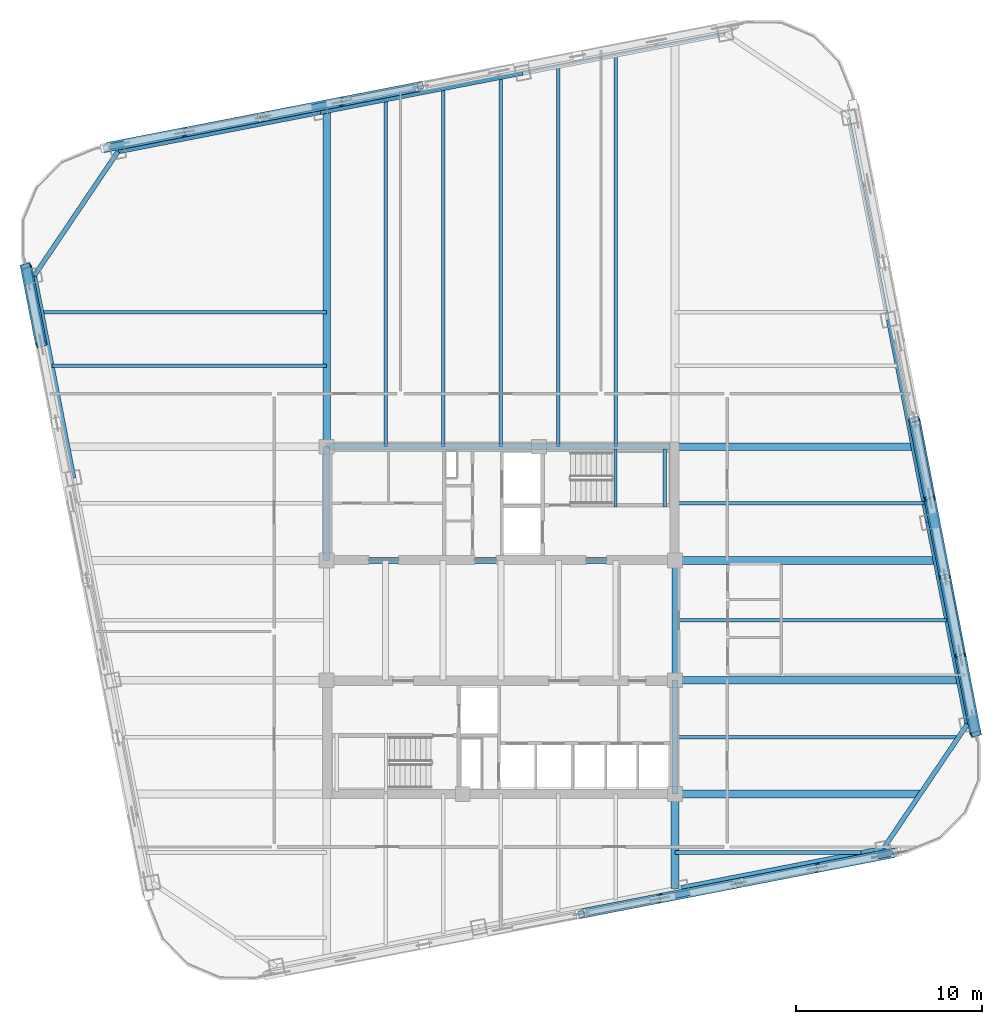
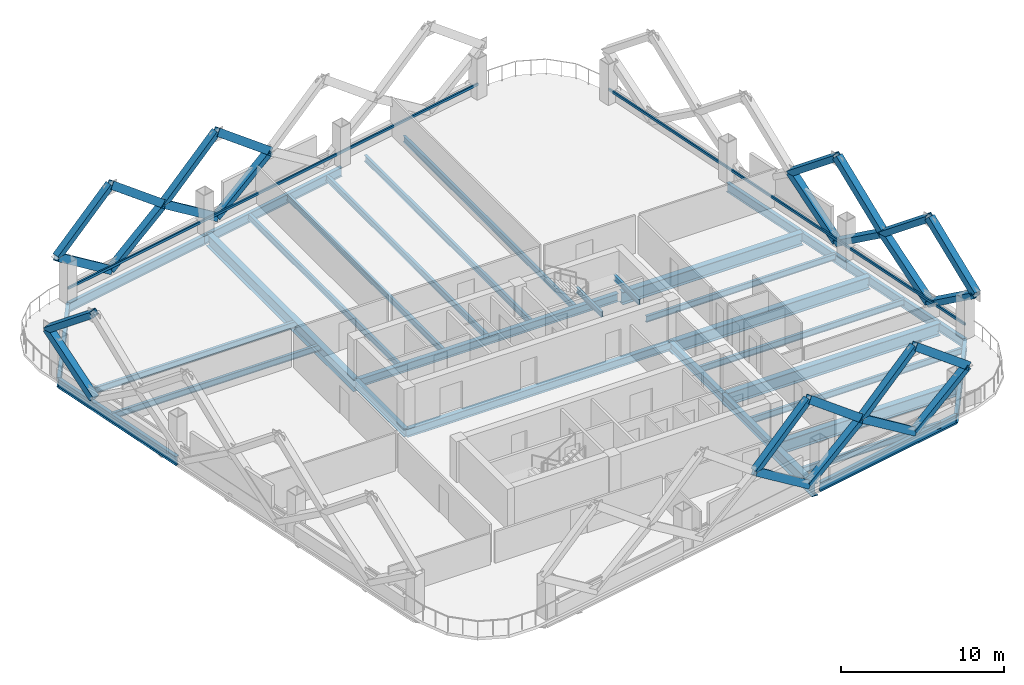
# One storey, part 2 of 9: 32 beams, 28 members.
"""IFC4 building model written with IfcOpenShell, lengths in metres."""

from ifc_helpers import new_model, si_unit, direction, frame, origin, origin_2d, place, context, subcontext, project, spatial, hollow_rectangle, i_section, extrude, material, material_profile, profile_set, type_object, element, save


model = new_model("IFC4")

# Units and contexts
model_context = context("Model", 3, precision=1e-05, world=origin(), true_north=direction((0.0, 1.0)))
body_context = subcontext(model_context, "Body", "Model", "MODEL_VIEW")
ifc_project = project(units=[si_unit("LENGTHUNIT", "METRE"), si_unit("AREAUNIT", "SQUARE_METRE"), si_unit("VOLUMEUNIT", "CUBIC_METRE"), si_unit("PLANEANGLEUNIT", "RADIAN"), si_unit("MASSUNIT", "GRAM", prefix="KILO")], contexts=[model_context])

# Site, building, storey
site_placement = place(None, origin())
site = spatial("IfcSite", under=ifc_project, at=site_placement, CompositionType="ELEMENT")
building_placement = place(site_placement, origin())
building = spatial("IfcBuilding", under=site, at=building_placement, Name="Qhalaya Broadcast Tower", CompositionType="ELEMENT")
storey_placement = place(building_placement, frame((0.0, 0.0, 137.199951171875)))
storey = spatial("IfcBuildingStorey", under=building, at=storey_placement, Name="L40", CompositionType="ELEMENT", Elevation=137.199951171875)

# Beams
ifc_material_1 = material(Name="Structural Steel ASTM A992 Grade 50", Category="steel")
ifc_material_profile_1 = material_profile(ifc_material_1, i_section(OverallWidth=0.19189453125, OverallDepth=0.462890625, WebThickness=0.010498046875, FlangeThickness=0.017578125, at=origin_2d()), Name="W18X60")
ifc_profile_set_1 = profile_set([ifc_material_profile_1], Name="Structural Steel ASTM A992 Grade 50")
beam_type_1 = type_object("IfcBeamType", Name="Composite Floor Joist J03", PredefinedType="JOIST", material=ifc_profile_set_1)
beam_1_placement = place(storey_placement, frame((-6.199951171875, 9.949951171875, -0.451416015625), z_axis=(0.0, 1.0, 0.0), x_axis=(-1.0, 0.0, 0.0)))
element("IfcBeam", 1, at=beam_1_placement, inside=storey, type_object=beam_type_1, Name="L40 J03 L40-JNN1-1", PredefinedType="JOIST", context=body_context, shape_type="SweptSolid", body=[
    extrude(i_section(OverallWidth=0.19189453125, OverallDepth=0.462890625, WebThickness=0.010498046875, FlangeThickness=0.017578125, at=origin_2d()), origin(), (0.0, 0.0, 1.0), 18.6728515625),
])
beam_2_placement = place(storey_placement, frame((-3.10009765625, 9.949951171875, -0.451416015625), z_axis=(0.0, 1.0, 0.0), x_axis=(-1.0, 0.0, 0.0)))
element("IfcBeam", 2, at=beam_2_placement, inside=storey, type_object=beam_type_1, Name="L40 J03 L40-JNN2-1", PredefinedType="JOIST", context=body_context, shape_type="SweptSolid", body=[
    extrude(i_section(OverallWidth=0.19189453125, OverallDepth=0.462890625, WebThickness=0.010498046875, FlangeThickness=0.017578125, at=origin_2d()), origin(), (0.0, 0.0, 1.0), 19.275390625),
])
beam_3_placement = place(storey_placement, frame((0.0, 9.949951171875, -0.451416015625), z_axis=(0.0, 1.0, 0.0), x_axis=(-1.0, 0.0, 0.0)))
element("IfcBeam", 3, at=beam_3_placement, inside=storey, type_object=beam_type_1, Name="L40 J03 L40-JNN3-1", PredefinedType="JOIST", context=body_context, shape_type="SweptSolid", body=[
    extrude(i_section(OverallWidth=0.19189453125, OverallDepth=0.462890625, WebThickness=0.010498046875, FlangeThickness=0.017578125, at=origin_2d()), origin(), (0.0, 0.0, 1.0), 19.8779296875),
])
beam_4_placement = place(storey_placement, frame((3.10009765625, 9.949951171875, -0.451416015625), z_axis=(0.0, 1.0, 0.0), x_axis=(-1.0, 0.0, 0.0)))
element("IfcBeam", 4, at=beam_4_placement, inside=storey, type_object=beam_type_1, Name="L40 J03 L40-JNN4-1", PredefinedType="JOIST", context=body_context, shape_type="SweptSolid", body=[
    extrude(i_section(OverallWidth=0.19189453125, OverallDepth=0.462890625, WebThickness=0.010498046875, FlangeThickness=0.017578125, at=origin_2d()), origin(), (0.0, 0.0, 1.0), 20.480712890625),
])
beam_5_placement = place(storey_placement, frame((6.199951171875, 9.949951171875, -0.451416015625), z_axis=(0.0, 1.0, 0.0), x_axis=(-1.0, 0.0, 0.0)))
element("IfcBeam", 5, at=beam_5_placement, inside=storey, type_object=beam_type_1, Name="L40 J03 L40-JNN5-1", PredefinedType="JOIST", context=body_context, shape_type="SweptSolid", body=[
    extrude(i_section(OverallWidth=0.19189453125, OverallDepth=0.462890625, WebThickness=0.010498046875, FlangeThickness=0.017578125, at=origin_2d()), origin(), (0.0, 0.0, 1.0), 21.083251953125),
])
beam_6_placement = place(storey_placement, frame((9.375, -11.89990234375, -0.451416015625), z_axis=(1.0, 0.0, 0.0), x_axis=(0.0, 1.0, 0.0)))
element("IfcBeam", 6, at=beam_6_placement, inside=storey, type_object=beam_type_1, Name="L40 J03 L40-JWE2E-1", PredefinedType="JOIST", context=body_context, shape_type="SweptSolid", body=[
    extrude(i_section(OverallWidth=0.19189453125, OverallDepth=0.462890625, WebThickness=0.010498046875, FlangeThickness=0.017578125, at=origin_2d()), origin(), (0.0, 0.0, 1.0), 10.009521484375),
])
beam_7_placement = place(storey_placement, frame((9.375, -5.699951171875, -0.451416015625), z_axis=(1.0, 0.0, 0.0), x_axis=(0.0, 1.0, 0.0)))
element("IfcBeam", 7, at=beam_7_placement, inside=storey, type_object=beam_type_1, Name="L40 J03 L40-JWE3E-1", PredefinedType="JOIST", context=body_context, shape_type="SweptSolid", body=[
    extrude(i_section(OverallWidth=0.19189453125, OverallDepth=0.462890625, WebThickness=0.010498046875, FlangeThickness=0.017578125, at=origin_2d()), origin(), (0.0, 0.0, 1.0), 15.24462890625),
])
beam_8_placement = place(storey_placement, frame((9.375, 0.60009765625, -0.451416015625), z_axis=(1.0, 0.0, 0.0), x_axis=(0.0, 1.0, 0.0)))
element("IfcBeam", 8, at=beam_8_placement, inside=storey, type_object=beam_type_1, Name="L40 J03 L40-JWE4E-1", PredefinedType="JOIST", context=body_context, shape_type="SweptSolid", body=[
    extrude(i_section(OverallWidth=0.19189453125, OverallDepth=0.462890625, WebThickness=0.010498046875, FlangeThickness=0.017578125, at=origin_2d()), origin(), (0.0, 0.0, 1.0), 14.632568359375),
])
beam_9_placement = place(storey_placement, frame((9.375, 6.89990234375, -0.451416015625), z_axis=(1.0, 0.0, 0.0), x_axis=(0.0, 1.0, 0.0)))
element("IfcBeam", 9, at=beam_9_placement, inside=storey, type_object=beam_type_1, Name="L40 J03 L40-JWE5E-1", PredefinedType="JOIST", context=body_context, shape_type="SweptSolid", body=[
    extrude(i_section(OverallWidth=0.19189453125, OverallDepth=0.462890625, WebThickness=0.010498046875, FlangeThickness=0.017578125, at=origin_2d()), origin(), (0.0, 0.0, 1.0), 13.407958984375),
])
beam_10_placement = place(storey_placement, frame((-24.1513671875, 14.300048828125, -0.451416015625), z_axis=(1.0, 0.0, 0.0), x_axis=(0.0, 1.0, 0.0)))
element("IfcBeam", 10, at=beam_10_placement, inside=storey, type_object=beam_type_1, Name="L40 J03 L40-JWE6W-1", PredefinedType="JOIST", context=body_context, shape_type="SweptSolid", body=[
    extrude(i_section(OverallWidth=0.19189453125, OverallDepth=0.462890625, WebThickness=0.010498046875, FlangeThickness=0.017578125, at=origin_2d()), origin(), (0.0, 0.0, 1.0), 14.7763671875),
])
beam_11_placement = place(storey_placement, frame((-24.715087890625, 17.199951171875, -0.451416015625), z_axis=(1.0, 0.0, 0.0), x_axis=(0.0, 1.0, 0.0)))
element("IfcBeam", 11, at=beam_11_placement, inside=storey, type_object=beam_type_1, Name="L40 J03 L40-JWE7W-1", PredefinedType="JOIST", context=body_context, shape_type="SweptSolid", body=[
    extrude(i_section(OverallWidth=0.19189453125, OverallDepth=0.462890625, WebThickness=0.010498046875, FlangeThickness=0.017578125, at=origin_2d()), origin(), (0.0, 0.0, 1.0), 15.340087890625),
])
ifc_material_profile_2 = material_profile(ifc_material_1, i_section(OverallWidth=0.323974609375, OverallDepth=0.612060546875, WebThickness=0.0126953125, FlangeThickness=0.01904296875, at=origin_2d()), Name="W24X104")
ifc_profile_set_2 = profile_set([ifc_material_profile_2], Name="Structural Steel ASTM A992 Grade 50")
beam_type_2 = type_object("IfcBeamType", Name="Core Frame Tie Beam B04", PredefinedType="BEAM", material=ifc_profile_set_2)
beam_12_placement = place(storey_placement, frame((-9.375, 3.824951171875, -0.52587890625), z_axis=(1.0, 0.0, 0.0), x_axis=(0.0, 1.0, 0.0)))
element("IfcBeam", 12, at=beam_12_placement, inside=storey, type_object=beam_type_2, Name="L40 B04 L40-CCN1", PredefinedType="BEAM", context=body_context, shape_type="SweptSolid", body=[
    extrude(i_section(OverallWidth=0.323974609375, OverallDepth=0.612060546875, WebThickness=0.0126953125, FlangeThickness=0.01904296875, at=origin_2d()), origin(), (0.0, 0.0, 1.0), 18.75),
])
beam_13_placement = place(storey_placement, frame((-9.375, 3.824951171875, -0.52587890625), z_axis=(0.0, 1.0, 0.0), x_axis=(-1.0, 0.0, 0.0)))
element("IfcBeam", 13, at=beam_13_placement, inside=storey, type_object=beam_type_2, Name="L40 B04 L40-CCN2", PredefinedType="BEAM", context=body_context, shape_type="SweptSolid", body=[
    extrude(i_section(OverallWidth=0.323974609375, OverallDepth=0.612060546875, WebThickness=0.0126953125, FlangeThickness=0.01904296875, at=origin_2d()), origin(), (0.0, 0.0, 1.0), 6.125),
])
beam_14_placement = place(storey_placement, frame((-9.375, 9.949951171875, -0.52587890625), z_axis=(1.0, 0.0, 0.0), x_axis=(0.0, 1.0, 0.0)))
element("IfcBeam", 14, at=beam_14_placement, inside=storey, type_object=beam_type_2, Name="L40 B04 L40-CCN3", PredefinedType="BEAM", context=body_context, shape_type="SweptSolid", body=[
    extrude(i_section(OverallWidth=0.323974609375, OverallDepth=0.612060546875, WebThickness=0.0126953125, FlangeThickness=0.01904296875, at=origin_2d()), origin(), (0.0, 0.0, 1.0), 18.4951171875),
])
beam_15_placement = place(storey_placement, frame((9.375, -8.75, -0.52587890625), z_axis=(0.0, 1.0, 0.0), x_axis=(-1.0, 0.0, 0.0)))
element("IfcBeam", 15, at=beam_15_placement, inside=storey, type_object=beam_type_2, Name="L40 B04 L40-CCS2", PredefinedType="BEAM", context=body_context, shape_type="SweptSolid", body=[
    extrude(i_section(OverallWidth=0.323974609375, OverallDepth=0.612060546875, WebThickness=0.0126953125, FlangeThickness=0.01904296875, at=origin_2d()), origin(), (0.0, 0.0, 1.0), 6.125),
])
beam_16_placement = place(storey_placement, frame((9.375, -2.625, -0.52587890625), z_axis=(0.0, 1.0, 0.0), x_axis=(-1.0, 0.0, 0.0)))
element("IfcBeam", 16, at=beam_16_placement, inside=storey, type_object=beam_type_2, Name="L40 B04 L40-CCE", PredefinedType="BEAM", context=body_context, shape_type="SweptSolid", body=[
    extrude(i_section(OverallWidth=0.323974609375, OverallDepth=0.612060546875, WebThickness=0.0126953125, FlangeThickness=0.01904296875, at=origin_2d()), origin(), (0.0, 0.0, 1.0), 6.449951171875),
])

# Members
ifc_material_2 = material(Name="Structural Steel ASTM A572 Grade 50", Category="steel")
ifc_material_profile_3 = material_profile(ifc_material_2, hollow_rectangle(XDim=0.419921875, YDim=0.550048828125, WallThickness=0.028076171875, at=origin_2d()), Name="BOX 420x550x28")
ifc_profile_set_3 = profile_set([ifc_material_profile_3], Name="Structural Steel ASTM A572 Grade 50")
member_type_1 = type_object("IfcMemberType", Name="Exoskeleton Diamond Diagonal Mid-Low EX2", PredefinedType="BRACE", material=ifc_profile_set_3)
for number, where, z_axis, x_axis, name in (
    (17, (8.562744140625, -14.370361328125, 0.360107421875), (-0.810201172713, -0.157470324243, 0.564603539413), (0.293036524533, -0.943041666352, 0.157486541693), "B3 Exoskeleton Diamond Brace S3-D1"),
    (18, (8.562744140625, -14.370361328125, 0.360107421875), (0.810195210327, 0.157515892151, 0.564599384416), (-0.293088153973, 0.943025531131, 0.157487084026), "B3 Exoskeleton Diamond Brace S3-D2"),
):
    element("IfcMember", number, at=place(storey_placement, frame(where, z_axis=z_axis, x_axis=x_axis)), inside=storey, type_object=member_type_1, Name=name, PredefinedType="BRACE", context=body_context, shape_type="SweptSolid", body=[
        extrude(hollow_rectangle(XDim=0.419921875, YDim=0.550048828125, WallThickness=0.028076171875, at=origin_2d()), origin(), (0.0, 0.0, 1.0), 5.224853515625),
    ])
for number, where, z_axis, x_axis, name in (
    (19, (4.32958984375, -15.193115234375, 3.31005859375), (0.768256808581, 0.149318037079, 0.622483413331), (-0.30387765791, 0.940934588695, 0.149333414947), "B3 Exoskeleton Diamond Brace S3-D3"),
    (20, (12.7958984375, -13.54736328125, 3.31005859375), (-0.7682517251, -0.149361356786, 0.622479294419), (0.303929176994, -0.940917849685, 0.149334040046), "B3 Exoskeleton Diamond Brace S3-D4"),
):
    element("IfcMember", number, at=place(storey_placement, frame(where, z_axis=z_axis, x_axis=x_axis)), inside=storey, type_object=member_type_1, Name=name, PredefinedType="BRACE", context=body_context, shape_type="SweptSolid", body=[
        extrude(hollow_rectangle(XDim=0.419921875, YDim=0.550048828125, WallThickness=0.028076171875, at=origin_2d()), origin(), (0.0, 0.0, 1.0), 5.510009765625),
    ])
member_1_placement = place(storey_placement, frame((17.029296875, -12.724609375, 0.360107421875), z_axis=(-0.81021722602, -0.157464362842, 0.564582165052), x_axis=(0.29302233544, -0.943045609389, 0.157489331531)))
element("IfcMember", 21, at=member_1_placement, inside=storey, type_object=member_type_1, Name="B3 Exoskeleton Diamond Brace S4-D1", PredefinedType="BRACE", context=body_context, shape_type="SweptSolid", body=[
    extrude(hollow_rectangle(XDim=0.419921875, YDim=0.550048828125, WallThickness=0.028076171875, at=origin_2d()), origin(), (0.0, 0.0, 1.0), 5.22509765625),
])
member_2_placement = place(storey_placement, frame((17.029296875, -12.724609375, 0.360107421875), z_axis=(0.810195210327, 0.157515892151, 0.564599384416), x_axis=(-0.293088153973, 0.943025531131, 0.157487084026)))
element("IfcMember", 22, at=member_2_placement, inside=storey, type_object=member_type_1, Name="B3 Exoskeleton Diamond Brace S4-D2", PredefinedType="BRACE", context=body_context, shape_type="SweptSolid", body=[
    extrude(hollow_rectangle(XDim=0.419921875, YDim=0.550048828125, WallThickness=0.028076171875, at=origin_2d()), origin(), (0.0, 0.0, 1.0), 5.224853515625),
])
member_3_placement = place(storey_placement, frame((12.7958984375, -13.54736328125, 3.31005859375), z_axis=(0.768274964261, 0.149312954415, 0.622462224504), x_axis=(-0.303863526325, 0.940938642071, 0.149336630557)))
element("IfcMember", 23, at=member_3_placement, inside=storey, type_object=member_type_1, Name="B3 Exoskeleton Diamond Brace S4-D3", PredefinedType="BRACE", context=body_context, shape_type="SweptSolid", body=[
    extrude(hollow_rectangle(XDim=0.419921875, YDim=0.550048828125, WallThickness=0.028076171875, at=origin_2d()), origin(), (0.0, 0.0, 1.0), 5.51025390625),
])
member_4_placement = place(storey_placement, frame((21.262451171875, -11.901611328125, 3.31005859375), z_axis=(-0.7682517251, -0.149361356786, 0.622479294419), x_axis=(0.303929176994, -0.940917849685, 0.149334040046)))
element("IfcMember", 24, at=member_4_placement, inside=storey, type_object=member_type_1, Name="B3 Exoskeleton Diamond Brace S4-D4", PredefinedType="BRACE", context=body_context, shape_type="SweptSolid", body=[
    extrude(hollow_rectangle(XDim=0.419921875, YDim=0.550048828125, WallThickness=0.028076171875, at=origin_2d()), origin(), (0.0, 0.0, 1.0), 5.510009765625),
])
member_5_placement = place(storey_placement, frame((24.74169921875, -1.290283203125, 0.360107421875), z_axis=(0.157509929114, -0.810211263968, 0.564578010526), x_axis=(-0.29306318431, 0.507607486462, 0.810215162589)))
element("IfcMember", 25, at=member_5_placement, inside=storey, type_object=member_type_1, Name="B3 Exoskeleton Diamond Brace E1-D1", PredefinedType="BRACE", context=body_context, shape_type="SweptSolid", body=[
    extrude(hollow_rectangle(XDim=0.419921875, YDim=0.550048828125, WallThickness=0.028076171875, at=origin_2d()), origin(), (0.0, 0.0, 1.0), 5.22509765625),
])
member_6_placement = place(storey_placement, frame((24.74169921875, -1.290283203125, 0.360107421875), z_axis=(-0.157515892151, 0.810195210327, 0.564599384416), x_axis=(0.293072672479, -0.507624915822, 0.810200810591)))
element("IfcMember", 26, at=member_6_placement, inside=storey, type_object=member_type_1, Name="B3 Exoskeleton Diamond Brace E1-D2", PredefinedType="BRACE", context=body_context, shape_type="SweptSolid", body=[
    extrude(hollow_rectangle(XDim=0.419921875, YDim=0.550048828125, WallThickness=0.028076171875, at=origin_2d()), origin(), (0.0, 0.0, 1.0), 5.224853515625),
])
member_7_placement = place(storey_placement, frame((25.564697265625, -5.523681640625, 3.31005859375), z_axis=(-0.149356272715, 0.768269881006, 0.622458106012), x_axis=(0.303905697558, -0.563380010853, 0.768273577811)))
element("IfcMember", 27, at=member_7_placement, inside=storey, type_object=member_type_1, Name="B3 Exoskeleton Diamond Brace E1-D3", PredefinedType="BRACE", context=body_context, shape_type="SweptSolid", body=[
    extrude(hollow_rectangle(XDim=0.419921875, YDim=0.550048828125, WallThickness=0.028076171875, at=origin_2d()), origin(), (0.0, 0.0, 1.0), 5.51025390625),
])
member_8_placement = place(storey_placement, frame((23.918701171875, 2.94287109375, 3.31005859375), z_axis=(0.149361356786, -0.7682517251, 0.622479294419), x_axis=(-0.30391575353, 0.563397144342, 0.76825703544)))
element("IfcMember", 28, at=member_8_placement, inside=storey, type_object=member_type_1, Name="B3 Exoskeleton Diamond Brace E1-D4", PredefinedType="BRACE", context=body_context, shape_type="SweptSolid", body=[
    extrude(hollow_rectangle(XDim=0.419921875, YDim=0.550048828125, WallThickness=0.028076171875, at=origin_2d()), origin(), (0.0, 0.0, 1.0), 5.510009765625),
])
member_9_placement = place(storey_placement, frame((23.095947265625, 7.17626953125, 0.360107421875), z_axis=(0.157464362842, -0.81021722602, 0.564582165052), x_axis=(-0.293035753872, 0.507627774648, 0.810212372998)))
element("IfcMember", 29, at=member_9_placement, inside=storey, type_object=member_type_1, Name="B3 Exoskeleton Diamond Brace E2-D1", PredefinedType="BRACE", context=body_context, shape_type="SweptSolid", body=[
    extrude(hollow_rectangle(XDim=0.419921875, YDim=0.550048828125, WallThickness=0.028076171875, at=origin_2d()), origin(), (0.0, 0.0, 1.0), 5.22509765625),
])
member_10_placement = place(storey_placement, frame((23.095947265625, 7.17626953125, 0.360107421875), z_axis=(-0.157470324243, 0.810201172713, 0.564603539413), x_axis=(0.293045239695, -0.507645205852, 0.810198020528)))
element("IfcMember", 30, at=member_10_placement, inside=storey, type_object=member_type_1, Name="B3 Exoskeleton Diamond Brace E2-D2", PredefinedType="BRACE", context=body_context, shape_type="SweptSolid", body=[
    extrude(hollow_rectangle(XDim=0.419921875, YDim=0.550048828125, WallThickness=0.028076171875, at=origin_2d()), origin(), (0.0, 0.0, 1.0), 5.224853515625),
])
member_11_placement = place(storey_placement, frame((23.918701171875, 2.94287109375, 3.31005859375), z_axis=(-0.149312954415, 0.768274964261, 0.622462224504), x_axis=(0.303875161046, -0.563400866755, 0.768270362463)))
element("IfcMember", 31, at=member_11_placement, inside=storey, type_object=member_type_1, Name="B3 Exoskeleton Diamond Brace E2-D3", PredefinedType="BRACE", context=body_context, shape_type="SweptSolid", body=[
    extrude(hollow_rectangle(XDim=0.419921875, YDim=0.550048828125, WallThickness=0.028076171875, at=origin_2d()), origin(), (0.0, 0.0, 1.0), 5.51025390625),
])
member_12_placement = place(storey_placement, frame((22.273193359375, 11.409423828125, 3.31005859375), z_axis=(0.149318037079, -0.768256808581, 0.622483413331), x_axis=(-0.303885214513, 0.563418002102, 0.768253819586)))
element("IfcMember", 32, at=member_12_placement, inside=storey, type_object=member_type_1, Name="B3 Exoskeleton Diamond Brace E2-D4", PredefinedType="BRACE", context=body_context, shape_type="SweptSolid", body=[
    extrude(hollow_rectangle(XDim=0.419921875, YDim=0.550048828125, WallThickness=0.028076171875, at=origin_2d()), origin(), (0.0, 0.0, 1.0), 5.510009765625),
])
for number, where, z_axis, x_axis, name in (
    (33, (-8.562744140625, 28.5302734375, 0.360107421875), (0.810201172713, 0.157470324243, 0.564603539413), (-0.293036524533, 0.943041666352, 0.157486541693), "B3 Exoskeleton Diamond Brace N3-D1"),
    (34, (-8.562744140625, 28.5302734375, 0.360107421875), (-0.810201172713, -0.157470324243, 0.564603539413), (0.293036524533, -0.943041666352, 0.157486541693), "B3 Exoskeleton Diamond Brace N3-D2"),
):
    element("IfcMember", number, at=place(storey_placement, frame(where, z_axis=z_axis, x_axis=x_axis)), inside=storey, type_object=member_type_1, Name=name, PredefinedType="BRACE", context=body_context, shape_type="SweptSolid", body=[
        extrude(hollow_rectangle(XDim=0.419921875, YDim=0.550048828125, WallThickness=0.028076171875, at=origin_2d()), origin(), (0.0, 0.0, 1.0), 5.224853515625),
    ])
for number, where, z_axis, x_axis, name in (
    (35, (-4.32958984375, 29.35302734375, 3.31005859375), (-0.768256808581, -0.149318037079, 0.622483413331), (0.30387765791, -0.940934588695, 0.149333414947), "B3 Exoskeleton Diamond Brace N3-D3"),
    (36, (-12.7958984375, 27.70751953125, 3.31005859375), (0.768256808581, 0.149318037079, 0.622483413331), (-0.30387765791, 0.940934588695, 0.149333414947), "B3 Exoskeleton Diamond Brace N3-D4"),
):
    element("IfcMember", number, at=place(storey_placement, frame(where, z_axis=z_axis, x_axis=x_axis)), inside=storey, type_object=member_type_1, Name=name, PredefinedType="BRACE", context=body_context, shape_type="SweptSolid", body=[
        extrude(hollow_rectangle(XDim=0.419921875, YDim=0.550048828125, WallThickness=0.028076171875, at=origin_2d()), origin(), (0.0, 0.0, 1.0), 5.510009765625),
    ])
member_13_placement = place(storey_placement, frame((-17.029296875, 26.884521484375, 0.360107421875), z_axis=(0.810211263968, 0.157509929114, 0.564578010526), x_axis=(-0.293073962383, 0.943029475803, 0.157489873772)))
element("IfcMember", 37, at=member_13_placement, inside=storey, type_object=member_type_1, Name="B3 Exoskeleton Diamond Brace N4-D1", PredefinedType="BRACE", context=body_context, shape_type="SweptSolid", body=[
    extrude(hollow_rectangle(XDim=0.419921875, YDim=0.550048828125, WallThickness=0.028076171875, at=origin_2d()), origin(), (0.0, 0.0, 1.0), 5.22509765625),
])
member_14_placement = place(storey_placement, frame((-17.029296875, 26.884521484375, 0.360107421875), z_axis=(-0.810201172713, -0.157470324243, 0.564603539413), x_axis=(0.293036524533, -0.943041666352, 0.157486541693)))
element("IfcMember", 38, at=member_14_placement, inside=storey, type_object=member_type_1, Name="B3 Exoskeleton Diamond Brace N4-D2", PredefinedType="BRACE", context=body_context, shape_type="SweptSolid", body=[
    extrude(hollow_rectangle(XDim=0.419921875, YDim=0.550048828125, WallThickness=0.028076171875, at=origin_2d()), origin(), (0.0, 0.0, 1.0), 5.224853515625),
])
member_15_placement = place(storey_placement, frame((-12.7958984375, 27.70751953125, 3.31005859375), z_axis=(-0.768269881006, -0.149356272715, 0.622458106012), x_axis=(0.303915042915, -0.940921904726, 0.149337255557)))
element("IfcMember", 39, at=member_15_placement, inside=storey, type_object=member_type_1, Name="B3 Exoskeleton Diamond Brace N4-D3", PredefinedType="BRACE", context=body_context, shape_type="SweptSolid", body=[
    extrude(hollow_rectangle(XDim=0.419921875, YDim=0.550048828125, WallThickness=0.028076171875, at=origin_2d()), origin(), (0.0, 0.0, 1.0), 5.51025390625),
])
member_16_placement = place(storey_placement, frame((-21.262451171875, 26.061767578125, 3.31005859375), z_axis=(0.768256808581, 0.149318037079, 0.622483413331), x_axis=(-0.30387765791, 0.940934588695, 0.149333414947)))
element("IfcMember", 40, at=member_16_placement, inside=storey, type_object=member_type_1, Name="B3 Exoskeleton Diamond Brace N4-D4", PredefinedType="BRACE", context=body_context, shape_type="SweptSolid", body=[
    extrude(hollow_rectangle(XDim=0.419921875, YDim=0.550048828125, WallThickness=0.028076171875, at=origin_2d()), origin(), (0.0, 0.0, 1.0), 5.510009765625),
])
member_17_placement = place(storey_placement, frame((-24.74169921875, 15.4501953125, 0.360107421875), z_axis=(-0.157509929114, 0.810211263968, 0.564578010526), x_axis=(0.29306318431, -0.507607486462, 0.810215162589)))
element("IfcMember", 41, at=member_17_placement, inside=storey, type_object=member_type_1, Name="B3 Exoskeleton Diamond Brace W1-D1", PredefinedType="BRACE", context=body_context, shape_type="SweptSolid", body=[
    extrude(hollow_rectangle(XDim=0.419921875, YDim=0.550048828125, WallThickness=0.028076171875, at=origin_2d()), origin(), (0.0, 0.0, 1.0), 5.22509765625),
])
member_18_placement = place(storey_placement, frame((-25.564697265625, 19.68359375, 3.31005859375), z_axis=(0.149356272715, -0.768269881006, 0.622458106012), x_axis=(-0.303905697558, 0.563380010853, 0.768273577811)))
element("IfcMember", 42, at=member_18_placement, inside=storey, type_object=member_type_1, Name="B3 Exoskeleton Diamond Brace W1-D3", PredefinedType="BRACE", context=body_context, shape_type="SweptSolid", body=[
    extrude(hollow_rectangle(XDim=0.419921875, YDim=0.550048828125, WallThickness=0.028076171875, at=origin_2d()), origin(), (0.0, 0.0, 1.0), 5.51025390625),
])
ifc_material_3 = material(Name="Fired Architectural Terracotta", Category="masonry")
ifc_material_profile_4 = material_profile(ifc_material_3, hollow_rectangle(XDim=0.110107421875, YDim=0.179931640625, WallThickness=0.01806640625, at=origin_2d()), Name="TB-BAG 110x180x18")
ifc_profile_set_4 = profile_set([ifc_material_profile_4], Name="Fired Architectural Terracotta")
member_type_2 = type_object("IfcMemberType", Name="Fired Terracotta Facade Baguette Member TB1", PredefinedType="USERDEFINED", material=ifc_profile_set_4)
for number, where, z_axis, x_axis, name in (
    (43, (25.1162109375, -4.99951171875, 0.84912109375), (-0.190803527564, 0.981628246267, 0.0), (-0.981628246267, -0.190803527564, 0.0), "L40 Terracotta Baguette Feature Rail E"),
    (44, (12.07958984375, 32.1962890625, 0.84912109375), (-0.981626873058, -0.190810592185, 0.0), (0.190810592185, -0.981626873058, 0.0), "L40 Terracotta Baguette Feature Rail N"),
):
    element("IfcMember", number, at=place(storey_placement, frame(where, z_axis=z_axis, x_axis=x_axis)), inside=storey, type_object=member_type_2, Name=name, ObjectType="BAGUETTE", PredefinedType="USERDEFINED", context=body_context, shape_type="SweptSolid", body=[
        extrude(hollow_rectangle(XDim=0.110107421875, YDim=0.179931640625, WallThickness=0.01806640625, at=origin_2d()), origin(), (0.0, 0.0, 1.0), 33.300048828125),
    ])

# Beams
ifc_material_profile_5 = material_profile(ifc_material_1, i_section(OverallWidth=0.4189453125, OverallDepth=0.927001953125, WebThickness=0.019287109375, FlangeThickness=0.031982421875, at=origin_2d()), Name="W36X231")
ifc_profile_set_5 = profile_set([ifc_material_profile_5], Name="Structural Steel ASTM A992 Grade 50")
beam_type_3 = type_object("IfcBeamType", Name="Mid Block Primary Girder PG3", PredefinedType="USERDEFINED", material=ifc_profile_set_5)
beam_17_placement = place(storey_placement, frame((-9.375, 9.949951171875, -0.683349609375), z_axis=(0.0, 1.0, 0.0), x_axis=(-1.0, 0.0, 0.0)))
element("IfcBeam", 45, at=beam_17_placement, inside=storey, type_object=beam_type_3, Name="L40 PG3 L40-PGXN1-1", ObjectType="GIRDER", PredefinedType="USERDEFINED", context=body_context, shape_type="SweptSolid", body=[
    extrude(i_section(OverallWidth=0.4189453125, OverallDepth=0.927001953125, WebThickness=0.019287109375, FlangeThickness=0.031982421875, at=origin_2d()), origin(), (0.0, 0.0, 1.0), 18.0556640625),
])
beam_18_placement = place(storey_placement, frame((9.375, -13.845703125, -0.683349609375), z_axis=(0.0, 1.0, 0.0), x_axis=(-1.0, 0.0, 0.0)))
element("IfcBeam", 46, at=beam_18_placement, inside=storey, type_object=beam_type_3, Name="L40 PG3 L40-PGXS2-1", ObjectType="GIRDER", PredefinedType="USERDEFINED", context=body_context, shape_type="SweptSolid", body=[
    extrude(i_section(OverallWidth=0.4189453125, OverallDepth=0.927001953125, WebThickness=0.019287109375, FlangeThickness=0.031982421875, at=origin_2d()), origin(), (0.0, 0.0, 1.0), 5.095703125),
])
beam_19_placement = place(storey_placement, frame((9.375, -8.75, -0.683349609375), z_axis=(1.0, 0.0, 0.0), x_axis=(0.0, 1.0, 0.0)))
element("IfcBeam", 47, at=beam_19_placement, inside=storey, type_object=beam_type_3, Name="L40 PG3 L40-PGYE1-1", ObjectType="GIRDER", PredefinedType="USERDEFINED", context=body_context, shape_type="SweptSolid", body=[
    extrude(i_section(OverallWidth=0.4189453125, OverallDepth=0.927001953125, WebThickness=0.019287109375, FlangeThickness=0.031982421875, at=origin_2d()), origin(), (0.0, 0.0, 1.0), 13.1875),
])
beam_20_placement = place(storey_placement, frame((9.375, -2.625, -0.683349609375), z_axis=(1.0, 0.0, 0.0), x_axis=(0.0, 1.0, 0.0)))
element("IfcBeam", 48, at=beam_20_placement, inside=storey, type_object=beam_type_3, Name="L40 PG3 L40-PGYE2-1", ObjectType="GIRDER", PredefinedType="USERDEFINED", context=body_context, shape_type="SweptSolid", body=[
    extrude(i_section(OverallWidth=0.4189453125, OverallDepth=0.927001953125, WebThickness=0.019287109375, FlangeThickness=0.031982421875, at=origin_2d()), origin(), (0.0, 0.0, 1.0), 15.259521484375),
])
beam_21_placement = place(storey_placement, frame((9.375, 3.824951171875, -0.683349609375), z_axis=(1.0, 0.0, 0.0), x_axis=(0.0, 1.0, 0.0)))
element("IfcBeam", 49, at=beam_21_placement, inside=storey, type_object=beam_type_3, Name="L40 PG3 L40-PGYE3-1", ObjectType="GIRDER", PredefinedType="USERDEFINED", context=body_context, shape_type="SweptSolid", body=[
    extrude(i_section(OverallWidth=0.4189453125, OverallDepth=0.927001953125, WebThickness=0.019287109375, FlangeThickness=0.031982421875, at=origin_2d()), origin(), (0.0, 0.0, 1.0), 14.005615234375),
])
beam_22_placement = place(storey_placement, frame((9.375, 9.949951171875, -0.683349609375), z_axis=(1.0, 0.0, 0.0), x_axis=(0.0, 1.0, 0.0)))
element("IfcBeam", 50, at=beam_22_placement, inside=storey, type_object=beam_type_3, Name="L40 PG3 L40-PGYE4-1", ObjectType="GIRDER", PredefinedType="USERDEFINED", context=body_context, shape_type="SweptSolid", body=[
    extrude(i_section(OverallWidth=0.4189453125, OverallDepth=0.927001953125, WebThickness=0.019287109375, FlangeThickness=0.031982421875, at=origin_2d()), origin(), (0.0, 0.0, 1.0), 12.815185546875),
])
ifc_material_profile_6 = material_profile(ifc_material_1, i_section(OverallWidth=0.25390625, OverallDepth=0.68310546875, WebThickness=0.012451171875, FlangeThickness=0.01904296875, at=origin_2d()), Name="W27X94")
ifc_profile_set_6 = profile_set([ifc_material_profile_6], Name="Structural Steel ASTM A992 Grade 50")
beam_type_4 = type_object("IfcBeamType", Name="Perimeter Ring Spandrel Beam SP1", PredefinedType="SPANDREL", material=ifc_profile_set_6)
beam_23_placement = place(storey_placement, frame((9.712646484375, -13.80029296875, -0.5615234375), z_axis=(0.981627979352, 0.190804900759, 0.0), x_axis=(-0.190804900759, 0.981627979352, 0.0)))
element("IfcBeam", 51, at=beam_23_placement, inside=storey, type_object=beam_type_4, Name="L40 SP1 L40-SPR-03", PredefinedType="SPANDREL", context=body_context, shape_type="SweptSolid", body=[
    extrude(i_section(OverallWidth=0.25390625, OverallDepth=0.68310546875, WebThickness=0.012451171875, FlangeThickness=0.01904296875, at=origin_2d()), origin(), (0.0, 0.0, 1.0), 11.099853515625),
])
beam_24_placement = place(storey_placement, frame((20.608642578125, -11.682373046875, -0.5615234375), z_axis=(0.559186208288, 0.829042088473, 0.0), x_axis=(-0.829042088473, 0.559186208288, 0.0)))
element("IfcBeam", 52, at=beam_24_placement, inside=storey, type_object=beam_type_4, Name="L40 SP1 L40-SPR-04", PredefinedType="SPANDREL", context=body_context, shape_type="SweptSolid", body=[
    extrude(i_section(OverallWidth=0.25390625, OverallDepth=0.68310546875, WebThickness=0.012451171875, FlangeThickness=0.01904296875, at=origin_2d()), origin(), (0.0, 0.0, 1.0), 8.06103515625),
])
for number, where, z_axis, x_axis, name in (
    (53, (25.1162109375, -4.99951171875, -0.5615234375), (-0.190804900759, 0.981627979352, 0.0), (-0.981627979352, -0.190804900759, 0.0), "L40 SP1 L40-SPR-05"),
    (54, (22.998291015625, 5.896484375, -0.5615234375), (-0.190804900759, 0.981627979352, 0.0), (-0.981627979352, -0.190804900759, 0.0), "L40 SP1 L40-SPR-06"),
    (55, (1.183349609375, 30.078369140625, -0.5615234375), (-0.981627979352, -0.190804900759, 0.0), (0.190804900759, -0.981627979352, 0.0), "L40 SP1 L40-SPR-10"),
    (56, (-9.712646484375, 27.96044921875, -0.5615234375), (-0.981623859527, -0.190826094673, 0.0), (0.190826094673, -0.981623859527, 0.0), "L40 SP1 L40-SPR-11"),
):
    element("IfcBeam", number, at=place(storey_placement, frame(where, z_axis=z_axis, x_axis=x_axis)), inside=storey, type_object=beam_type_4, Name=name, PredefinedType="SPANDREL", context=body_context, shape_type="SweptSolid", body=[
        extrude(i_section(OverallWidth=0.25390625, OverallDepth=0.68310546875, WebThickness=0.012451171875, FlangeThickness=0.01904296875, at=origin_2d()), origin(), (0.0, 0.0, 1.0), 11.099853515625),
    ])
beam_25_placement = place(storey_placement, frame((-20.608642578125, 25.84228515625, -0.5615234375), z_axis=(-0.559186208288, -0.829042088473, 0.0), x_axis=(0.829042088473, -0.559186208288, 0.0)))
element("IfcBeam", 57, at=beam_25_placement, inside=storey, type_object=beam_type_4, Name="L40 SP1 L40-SPR-12", PredefinedType="SPANDREL", context=body_context, shape_type="SweptSolid", body=[
    extrude(i_section(OverallWidth=0.25390625, OverallDepth=0.68310546875, WebThickness=0.012451171875, FlangeThickness=0.01904296875, at=origin_2d()), origin(), (0.0, 0.0, 1.0), 8.06103515625),
])
beam_26_placement = place(storey_placement, frame((-25.1162109375, 19.159423828125, -0.5615234375), z_axis=(0.190804900759, -0.981627979352, 0.0), x_axis=(0.981627979352, 0.190804900759, 0.0)))
element("IfcBeam", 58, at=beam_26_placement, inside=storey, type_object=beam_type_4, Name="L40 SP1 L40-SPR-13", PredefinedType="SPANDREL", context=body_context, shape_type="SweptSolid", body=[
    extrude(i_section(OverallWidth=0.25390625, OverallDepth=0.68310546875, WebThickness=0.012451171875, FlangeThickness=0.01904296875, at=origin_2d()), origin(), (0.0, 0.0, 1.0), 11.099853515625),
])
ifc_material_profile_7 = material_profile(ifc_material_1, i_section(OverallWidth=0.177978515625, OverallDepth=0.406005859375, WebThickness=0.0078125, FlangeThickness=0.0126953125, at=origin_2d()), Name="W16X40")
ifc_profile_set_7 = profile_set([ifc_material_profile_7], Name="Structural Steel ASTM A992 Grade 50")
beam_type_5 = type_object("IfcBeamType", Name="Upper Perimeter Spandrel Beam SP2", PredefinedType="SPANDREL", material=ifc_profile_set_7)
for number, where, z_axis, x_axis, name in (
    (59, (6.175048828125, 6.699951171875, 1.1220703125), (0.0, 1.0, 0.0), (-1.0, 0.0, 0.0), "L40 ST-1 Half-Landing Bearer Beam 1"),
    (60, (8.830078125, 6.699951171875, 1.1220703125), (0.0, 1.0, 0.0), (-1.0, 0.0, 0.0), "L40 ST-1 Half-Landing Bearer Beam 2"),
):
    element("IfcBeam", number, at=place(storey_placement, frame(where, z_axis=z_axis, x_axis=x_axis)), inside=storey, type_object=beam_type_5, Name=name, PredefinedType="SPANDREL", context=body_context, shape_type="SweptSolid", body=[
        extrude(i_section(OverallWidth=0.177978515625, OverallDepth=0.406005859375, WebThickness=0.0078125, FlangeThickness=0.0126953125, at=origin_2d()), origin(), (0.0, 0.0, 1.0), 3.1201171875),
    ])

save(model, "model.ifc")
